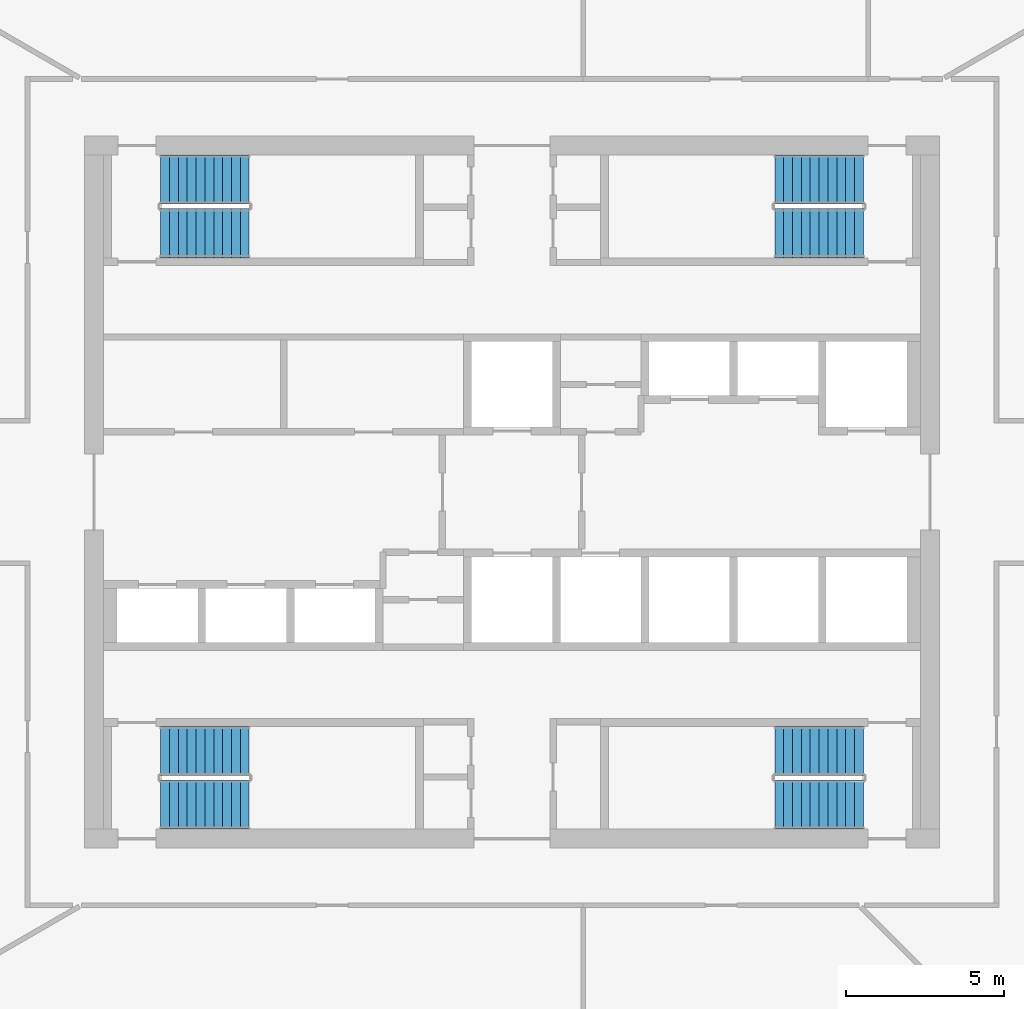
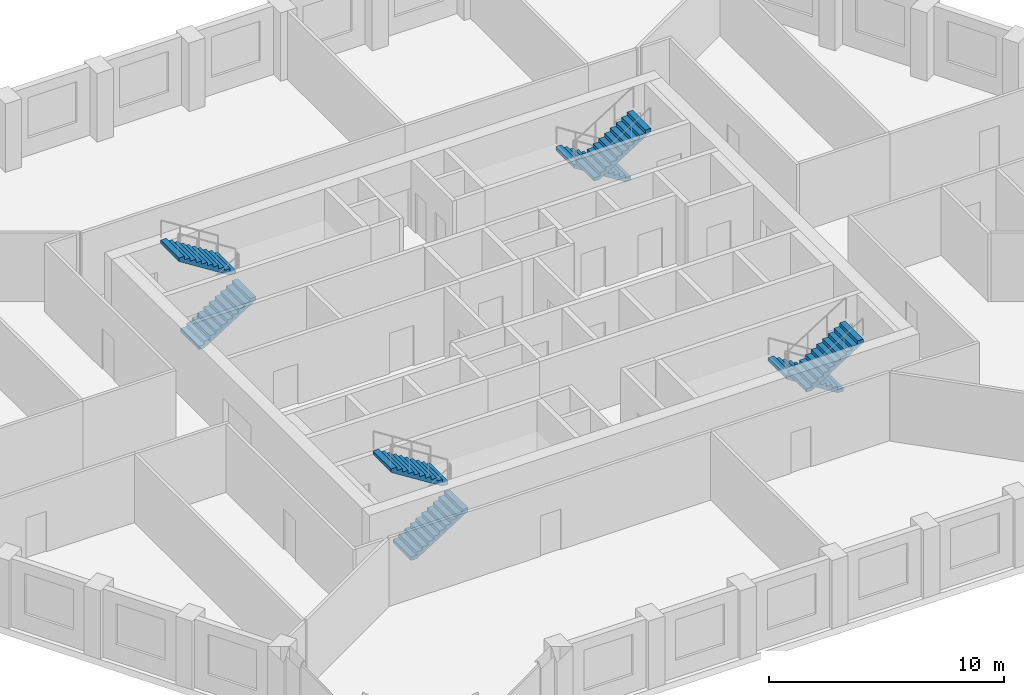
# One storey, part 7 of 8: 8 stair flights, 4 elements without a shape of their own.
"""IFC4 building model written with IfcOpenShell, lengths in metres."""

from ifc_helpers import new_model, si_unit, direction, frame, origin, place, context, subcontext, project, spatial, polyline, outline, extrude, material, type_object, element, aggregate, save


model = new_model("IFC4")

# Units and contexts
model_context = context("Model", 3, precision=1e-05, world=origin(), true_north=direction((0.0, 1.0)))
body_context = subcontext(model_context, "Body", "Model", "MODEL_VIEW")
ifc_project = project(units=[si_unit("LENGTHUNIT", "METRE"), si_unit("AREAUNIT", "SQUARE_METRE"), si_unit("VOLUMEUNIT", "CUBIC_METRE"), si_unit("PLANEANGLEUNIT", "RADIAN"), si_unit("MASSUNIT", "GRAM", prefix="KILO")], contexts=[model_context])

# Site, building, storey
site_placement = place(None, origin())
site = spatial("IfcSite", under=ifc_project, at=site_placement, CompositionType="ELEMENT")
building_placement = place(site_placement, origin())
building = spatial("IfcBuilding", under=site, at=building_placement, Name="Dhurran Vertical Campus", CompositionType="ELEMENT")
storey_placement = place(building_placement, frame((0.0, 0.0, 219.0)))
storey = spatial("IfcBuildingStorey", under=building, at=storey_placement, Name="L54", CompositionType="ELEMENT", Elevation=219.0)

# Stair, stair flights
ifc_material_1 = material(Name="Concrete C40/50", Category="concrete")
stair_type = type_object("IfcStairType", Name="co-ST-CORE", PredefinedType="HALF_TURN_STAIR", material=ifc_material_1)
stair_1_placement = place(storey_placement, origin())
stair_1 = element("IfcStair", 1, at=stair_1_placement, inside=storey, type_object=stair_type, Name="L54 Protected exit stair ST1", PredefinedType="HALF_TURN_STAIR")
ifc_material_2 = material(Name="Concrete C40/50", Category="concrete")
stair_flight_type = type_object("IfcStairFlightType", Name="co-SFL-RC", PredefinedType="STRAIGHT", material=ifc_material_2)
stair_flight_1_placement = place(storey_placement, frame((-11.10009765625, 8.175048828125, 0.0), z_axis=(0.0, 0.0, 1.0), x_axis=(1.0, 0.0, 0.0)))
stair_flight_1 = element("IfcStairFlight", 2, at=stair_flight_1_placement, type_object=stair_flight_type, Name="ST1 flight 1", NumberOfRisers=11, NumberOfTreads=10, PredefinedType="STRAIGHT", RiserHeight=0.177272727, TreadLength=0.28, context=body_context, shape_type="SweptSolid", body=[
    extrude(outline(polyline([(0.0, 0.0), (0.0, 0.17724609375), (0.280029296875, 0.17724609375), (0.280029296875, 0.3544921875), (0.56005859375, 0.3544921875), (0.56005859375, 0.53173828125), (0.840087890625, 0.53173828125), (0.840087890625, 0.708984375), (1.1201171875, 0.708984375), (1.1201171875, 0.886474609375), (1.39990234375, 0.886474609375), (1.39990234375, 1.063720703125), (1.679931640625, 1.063720703125), (1.679931640625, 1.240966796875), (1.9599609375, 1.240966796875), (1.9599609375, 1.418212890625), (2.239990234375, 1.418212890625), (2.239990234375, 1.595458984375), (2.52001953125, 1.595458984375), (2.52001953125, 1.772705078125), (2.800048828125, 1.772705078125), (2.800048828125, 1.949951171875), (2.800048828125, 1.59521484375), (0.2802734375, 0.0), (0.0, 0.0)])), frame((0.0, 0.77490234375, 0.0), z_axis=(0.0, -1.0, 0.0), x_axis=(1.0, 0.0, 0.0)), (0.0, 0.0, 1.0), 1.550048828125),
])
stair_flight_2_placement = place(storey_placement, frame((-8.300048828125, 9.875, 1.949951171875), z_axis=(0.0, 0.0, 1.0), x_axis=(-1.0, 0.0, 0.0)))
stair_flight_2 = element("IfcStairFlight", 3, at=stair_flight_2_placement, type_object=stair_flight_type, Name="ST1 flight 2", NumberOfRisers=11, NumberOfTreads=10, PredefinedType="STRAIGHT", RiserHeight=0.177272727, TreadLength=0.28, context=body_context, shape_type="SweptSolid", body=[
    extrude(outline(polyline([(0.0, 0.0), (0.0, 0.17724609375), (0.280029296875, 0.17724609375), (0.280029296875, 0.3544921875), (0.56005859375, 0.3544921875), (0.56005859375, 0.53173828125), (0.840087890625, 0.53173828125), (0.840087890625, 0.708984375), (1.1201171875, 0.708984375), (1.1201171875, 0.886474609375), (1.39990234375, 0.886474609375), (1.39990234375, 1.063720703125), (1.679931640625, 1.063720703125), (1.679931640625, 1.240966796875), (1.9599609375, 1.240966796875), (1.9599609375, 1.418212890625), (2.239990234375, 1.418212890625), (2.239990234375, 1.595458984375), (2.52001953125, 1.595458984375), (2.52001953125, 1.772705078125), (2.800048828125, 1.772705078125), (2.800048828125, 1.949951171875), (2.800048828125, 1.59521484375), (0.2802734375, 0.0), (0.0, 0.0)])), frame((0.0, 0.77490234375, 0.0), z_axis=(0.0, -1.0, 0.0), x_axis=(1.0, 0.0, 0.0)), (0.0, 0.0, 1.0), 1.550048828125),
])
aggregate(stair_1, [stair_flight_1, stair_flight_2])

stair_2_placement = place(storey_placement, origin())
stair_2 = element("IfcStair", 4, at=stair_2_placement, inside=storey, type_object=stair_type, Name="L54 Protected exit stair ST2", PredefinedType="HALF_TURN_STAIR")
stair_flight_3_placement = place(storey_placement, frame((11.10009765625, 9.875, 0.0), z_axis=(0.0, 0.0, 1.0), x_axis=(-1.0, 0.0, 0.0)))
stair_flight_3 = element("IfcStairFlight", 5, at=stair_flight_3_placement, type_object=stair_flight_type, Name="ST2 flight 1", NumberOfRisers=11, NumberOfTreads=10, PredefinedType="STRAIGHT", RiserHeight=0.177272727, TreadLength=0.28, context=body_context, shape_type="SweptSolid", body=[
    extrude(outline(polyline([(0.0, 0.0), (0.0, 0.17724609375), (0.280029296875, 0.17724609375), (0.280029296875, 0.3544921875), (0.56005859375, 0.3544921875), (0.56005859375, 0.53173828125), (0.840087890625, 0.53173828125), (0.840087890625, 0.708984375), (1.1201171875, 0.708984375), (1.1201171875, 0.886474609375), (1.39990234375, 0.886474609375), (1.39990234375, 1.063720703125), (1.679931640625, 1.063720703125), (1.679931640625, 1.240966796875), (1.9599609375, 1.240966796875), (1.9599609375, 1.418212890625), (2.239990234375, 1.418212890625), (2.239990234375, 1.595458984375), (2.52001953125, 1.595458984375), (2.52001953125, 1.772705078125), (2.800048828125, 1.772705078125), (2.800048828125, 1.949951171875), (2.800048828125, 1.59521484375), (0.2802734375, 0.0), (0.0, 0.0)])), frame((0.0, 0.77490234375, 0.0), z_axis=(0.0, -1.0, 0.0), x_axis=(1.0, 0.0, 0.0)), (0.0, 0.0, 1.0), 1.550048828125),
])
stair_flight_4_placement = place(storey_placement, frame((8.300048828125, 8.175048828125, 1.949951171875), z_axis=(0.0, 0.0, 1.0), x_axis=(1.0, 0.0, 0.0)))
stair_flight_4 = element("IfcStairFlight", 6, at=stair_flight_4_placement, type_object=stair_flight_type, Name="ST2 flight 2", NumberOfRisers=11, NumberOfTreads=10, PredefinedType="STRAIGHT", RiserHeight=0.177272727, TreadLength=0.28, context=body_context, shape_type="SweptSolid", body=[
    extrude(outline(polyline([(0.0, 0.0), (0.0, 0.17724609375), (0.280029296875, 0.17724609375), (0.280029296875, 0.3544921875), (0.56005859375, 0.3544921875), (0.56005859375, 0.53173828125), (0.840087890625, 0.53173828125), (0.840087890625, 0.708984375), (1.1201171875, 0.708984375), (1.1201171875, 0.886474609375), (1.39990234375, 0.886474609375), (1.39990234375, 1.063720703125), (1.679931640625, 1.063720703125), (1.679931640625, 1.240966796875), (1.9599609375, 1.240966796875), (1.9599609375, 1.418212890625), (2.239990234375, 1.418212890625), (2.239990234375, 1.595458984375), (2.52001953125, 1.595458984375), (2.52001953125, 1.772705078125), (2.800048828125, 1.772705078125), (2.800048828125, 1.949951171875), (2.800048828125, 1.59521484375), (0.2802734375, 0.0), (0.0, 0.0)])), frame((0.0, 0.77490234375, 0.0), z_axis=(0.0, -1.0, 0.0), x_axis=(1.0, 0.0, 0.0)), (0.0, 0.0, 1.0), 1.550048828125),
])
aggregate(stair_2, [stair_flight_3, stair_flight_4])

stair_3_placement = place(storey_placement, origin())
stair_3 = element("IfcStair", 7, at=stair_3_placement, inside=storey, type_object=stair_type, Name="L54 Protected exit stair ST3", PredefinedType="HALF_TURN_STAIR")
stair_flight_5_placement = place(storey_placement, frame((-11.10009765625, -9.875, 0.0), z_axis=(0.0, 0.0, 1.0), x_axis=(1.0, 0.0, 0.0)))
stair_flight_5 = element("IfcStairFlight", 8, at=stair_flight_5_placement, type_object=stair_flight_type, Name="ST3 flight 1", NumberOfRisers=11, NumberOfTreads=10, PredefinedType="STRAIGHT", RiserHeight=0.177272727, TreadLength=0.28, context=body_context, shape_type="SweptSolid", body=[
    extrude(outline(polyline([(0.0, 0.0), (0.0, 0.17724609375), (0.280029296875, 0.17724609375), (0.280029296875, 0.3544921875), (0.56005859375, 0.3544921875), (0.56005859375, 0.53173828125), (0.840087890625, 0.53173828125), (0.840087890625, 0.708984375), (1.1201171875, 0.708984375), (1.1201171875, 0.886474609375), (1.39990234375, 0.886474609375), (1.39990234375, 1.063720703125), (1.679931640625, 1.063720703125), (1.679931640625, 1.240966796875), (1.9599609375, 1.240966796875), (1.9599609375, 1.418212890625), (2.239990234375, 1.418212890625), (2.239990234375, 1.595458984375), (2.52001953125, 1.595458984375), (2.52001953125, 1.772705078125), (2.800048828125, 1.772705078125), (2.800048828125, 1.949951171875), (2.800048828125, 1.59521484375), (0.2802734375, 0.0), (0.0, 0.0)])), frame((0.0, 0.77490234375, 0.0), z_axis=(0.0, -1.0, 0.0), x_axis=(1.0, 0.0, 0.0)), (0.0, 0.0, 1.0), 1.550048828125),
])
stair_flight_6_placement = place(storey_placement, frame((-8.300048828125, -8.175048828125, 1.949951171875), z_axis=(0.0, 0.0, 1.0), x_axis=(-1.0, 0.0, 0.0)))
stair_flight_6 = element("IfcStairFlight", 9, at=stair_flight_6_placement, type_object=stair_flight_type, Name="ST3 flight 2", NumberOfRisers=11, NumberOfTreads=10, PredefinedType="STRAIGHT", RiserHeight=0.177272727, TreadLength=0.28, context=body_context, shape_type="SweptSolid", body=[
    extrude(outline(polyline([(0.0, 0.0), (0.0, 0.17724609375), (0.280029296875, 0.17724609375), (0.280029296875, 0.3544921875), (0.56005859375, 0.3544921875), (0.56005859375, 0.53173828125), (0.840087890625, 0.53173828125), (0.840087890625, 0.708984375), (1.1201171875, 0.708984375), (1.1201171875, 0.886474609375), (1.39990234375, 0.886474609375), (1.39990234375, 1.063720703125), (1.679931640625, 1.063720703125), (1.679931640625, 1.240966796875), (1.9599609375, 1.240966796875), (1.9599609375, 1.418212890625), (2.239990234375, 1.418212890625), (2.239990234375, 1.595458984375), (2.52001953125, 1.595458984375), (2.52001953125, 1.772705078125), (2.800048828125, 1.772705078125), (2.800048828125, 1.949951171875), (2.800048828125, 1.59521484375), (0.2802734375, 0.0), (0.0, 0.0)])), frame((0.0, 0.77490234375, 0.0), z_axis=(0.0, -1.0, 0.0), x_axis=(1.0, 0.0, 0.0)), (0.0, 0.0, 1.0), 1.550048828125),
])
aggregate(stair_3, [stair_flight_5, stair_flight_6])

stair_4_placement = place(storey_placement, origin())
stair_4 = element("IfcStair", 10, at=stair_4_placement, inside=storey, type_object=stair_type, Name="L54 Protected exit stair ST4", PredefinedType="HALF_TURN_STAIR")
stair_flight_7_placement = place(storey_placement, frame((11.10009765625, -8.175048828125, 0.0), z_axis=(0.0, 0.0, 1.0), x_axis=(-1.0, 0.0, 0.0)))
stair_flight_7 = element("IfcStairFlight", 11, at=stair_flight_7_placement, type_object=stair_flight_type, Name="ST4 flight 1", NumberOfRisers=11, NumberOfTreads=10, PredefinedType="STRAIGHT", RiserHeight=0.177272727, TreadLength=0.28, context=body_context, shape_type="SweptSolid", body=[
    extrude(outline(polyline([(0.0, 0.0), (0.0, 0.17724609375), (0.280029296875, 0.17724609375), (0.280029296875, 0.3544921875), (0.56005859375, 0.3544921875), (0.56005859375, 0.53173828125), (0.840087890625, 0.53173828125), (0.840087890625, 0.708984375), (1.1201171875, 0.708984375), (1.1201171875, 0.886474609375), (1.39990234375, 0.886474609375), (1.39990234375, 1.063720703125), (1.679931640625, 1.063720703125), (1.679931640625, 1.240966796875), (1.9599609375, 1.240966796875), (1.9599609375, 1.418212890625), (2.239990234375, 1.418212890625), (2.239990234375, 1.595458984375), (2.52001953125, 1.595458984375), (2.52001953125, 1.772705078125), (2.800048828125, 1.772705078125), (2.800048828125, 1.949951171875), (2.800048828125, 1.59521484375), (0.2802734375, 0.0), (0.0, 0.0)])), frame((0.0, 0.77490234375, 0.0), z_axis=(0.0, -1.0, 0.0), x_axis=(1.0, 0.0, 0.0)), (0.0, 0.0, 1.0), 1.550048828125),
])
stair_flight_8_placement = place(storey_placement, frame((8.300048828125, -9.875, 1.949951171875), z_axis=(0.0, 0.0, 1.0), x_axis=(1.0, 0.0, 0.0)))
stair_flight_8 = element("IfcStairFlight", 12, at=stair_flight_8_placement, type_object=stair_flight_type, Name="ST4 flight 2", NumberOfRisers=11, NumberOfTreads=10, PredefinedType="STRAIGHT", RiserHeight=0.177272727, TreadLength=0.28, context=body_context, shape_type="SweptSolid", body=[
    extrude(outline(polyline([(0.0, 0.0), (0.0, 0.17724609375), (0.280029296875, 0.17724609375), (0.280029296875, 0.3544921875), (0.56005859375, 0.3544921875), (0.56005859375, 0.53173828125), (0.840087890625, 0.53173828125), (0.840087890625, 0.708984375), (1.1201171875, 0.708984375), (1.1201171875, 0.886474609375), (1.39990234375, 0.886474609375), (1.39990234375, 1.063720703125), (1.679931640625, 1.063720703125), (1.679931640625, 1.240966796875), (1.9599609375, 1.240966796875), (1.9599609375, 1.418212890625), (2.239990234375, 1.418212890625), (2.239990234375, 1.595458984375), (2.52001953125, 1.595458984375), (2.52001953125, 1.772705078125), (2.800048828125, 1.772705078125), (2.800048828125, 1.949951171875), (2.800048828125, 1.59521484375), (0.2802734375, 0.0), (0.0, 0.0)])), frame((0.0, 0.77490234375, 0.0), z_axis=(0.0, -1.0, 0.0), x_axis=(1.0, 0.0, 0.0)), (0.0, 0.0, 1.0), 1.550048828125),
])
aggregate(stair_4, [stair_flight_7, stair_flight_8])

save(model, "model.ifc")
